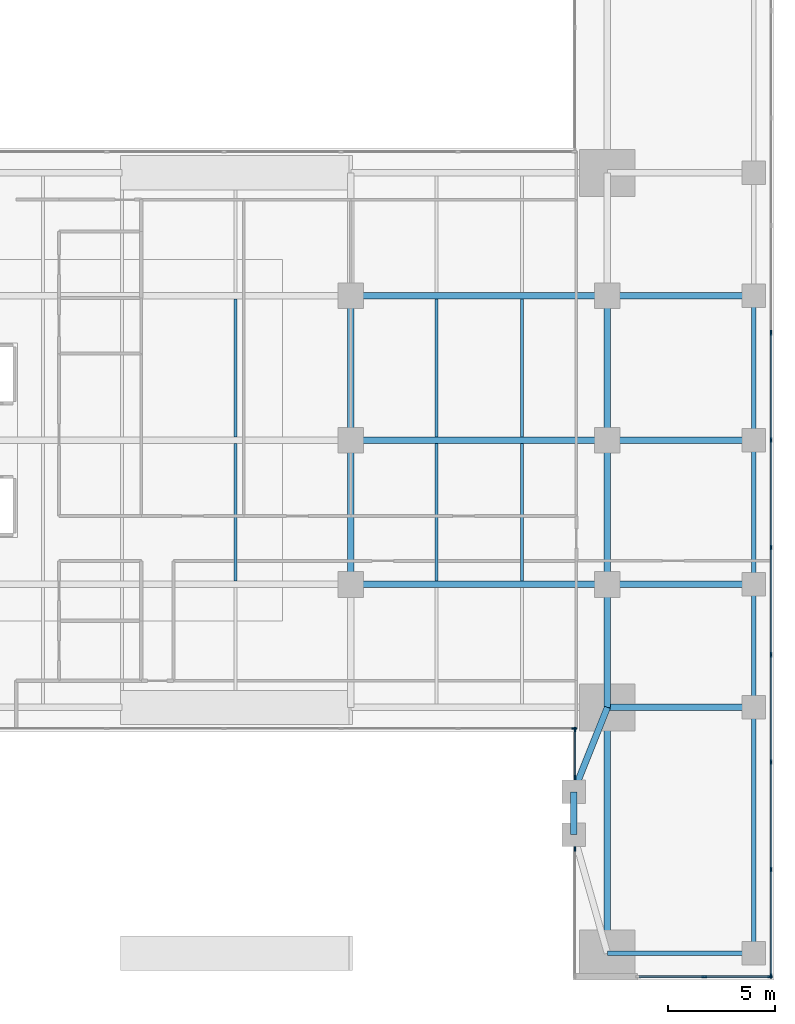
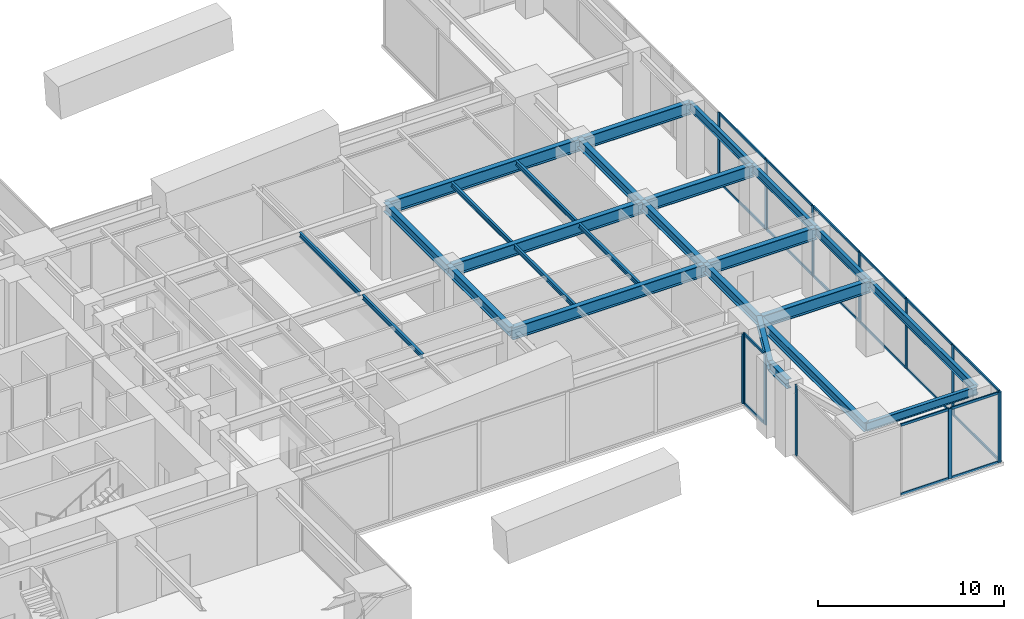
# One storey, part 4 of 13: 31 members, 26 beams, 5 elements without a shape of their own.
"""IFC4 building model written with IfcOpenShell, lengths in metres."""

import ifcopenshell
import ifcopenshell.guid

model = None  # the IFC model being written
_history = None  # IfcOwnerHistory: only IFC2X3 demands one
_inside = {}  # id of a spatial element -> (the spatial element, [elements in it])
_under = {}  # id of a project, library or spatial element -> (it, [spatial elements below it])
_declared = {}  # id of a project -> (the project, [libraries it declares])
_typed = {}  # id of a type object -> (the type object, [elements of that type])
_made_of = {}  # id of a material, layer set ... -> (it, [elements and type objects made of it])


def new_model(schema):
    """Start an empty IFC model of exactly this schema.

    Asked for "IFC4X3", IfcOpenShell would pick the latest addendum, in which some entities
    have other attributes; the version numbers below select the first issue.
    IFC2X3 requires an IfcOwnerHistory on every rooted entity: one is made here for all.
    """
    global model, _history
    if schema == "IFC4X3":
        model = ifcopenshell.file(schema_version=(4, 3, 0, 0))
    else:
        model = ifcopenshell.file(schema=schema)
    _inside.clear()
    _under.clear()
    _declared.clear()
    _typed.clear()
    _made_of.clear()
    _history = None
    if model.schema == "IFC2X3":
        org = make("IfcOrganization", Name="unknown")
        user = make(
            "IfcPersonAndOrganization",
            ThePerson=make("IfcPerson", FamilyName="unknown"),
            TheOrganization=org,
        )
        app = make(
            "IfcApplication",
            ApplicationDeveloper=org,
            Version="unknown",
            ApplicationFullName="unknown",
            ApplicationIdentifier="unknown",
        )
        _history = make(
            "IfcOwnerHistory",
            OwningUser=user,
            OwningApplication=app,
            ChangeAction="ADDED",
            CreationDate=0,
        )
    return model


def make(cls, **values):
    """One entity of the class cls with the attributes given. An attribute that is None is left unset."""
    return model.create_entity(
        cls, **{name: value for name, value in values.items() if value is not None}
    )


def rooted(cls, **values):
    """An entity with a GlobalId (a new one), such as an element, a storey or a relation."""
    return make(cls, GlobalId=ifcopenshell.guid.new(), OwnerHistory=_history, **values)


def si_unit(unit_type, name, prefix=None):
    """IfcSIUnit, for example si_unit("LENGTHUNIT", "METRE", prefix="MILLI")."""
    return make("IfcSIUnit", UnitType=unit_type, Prefix=prefix, Name=name)


def assignment(units):
    """IfcUnitAssignment: the units of a project."""
    return None if units is None else make("IfcUnitAssignment", Units=units)


def point(xyz):
    """IfcCartesianPoint."""
    return None if xyz is None else make("IfcCartesianPoint", Coordinates=xyz)


def direction(xyz):
    """IfcDirection."""
    return None if xyz is None else make("IfcDirection", DirectionRatios=xyz)


def frame(location, z_axis=None, x_axis=None):
    """IfcAxis2Placement3D, a coordinate frame: its origin and axes. An axis left out is left unset."""
    return make(
        "IfcAxis2Placement3D",
        Location=point(location),
        Axis=direction(z_axis),
        RefDirection=direction(x_axis),
    )


def frame_2d(location, x_axis=None):
    """IfcAxis2Placement2D, a coordinate frame in the plane: its origin and x axis."""
    return make(
        "IfcAxis2Placement2D", Location=point(location), RefDirection=direction(x_axis)
    )


def origin():
    """The frame at (0, 0, 0) with its axes left unset."""
    return frame((0.0, 0.0, 0.0))


def origin_2d():
    """The frame at (0, 0) in the plane with its x axis left unset."""
    return frame_2d((0.0, 0.0))


def place(relative_to, where):
    """IfcLocalPlacement: puts the frame where relative to a parent placement (None: the world)."""
    return make(
        "IfcLocalPlacement", PlacementRelTo=relative_to, RelativePlacement=where
    )


def context(
    kind, dimensions, precision=None, world=None, true_north=None, identifier=None
):
    """IfcGeometricRepresentationContext, for example the 3D "Model" context."""
    return make(
        "IfcGeometricRepresentationContext",
        ContextIdentifier=identifier,
        ContextType=kind,
        CoordinateSpaceDimension=dimensions,
        Precision=precision,
        WorldCoordinateSystem=world,
        TrueNorth=true_north,
    )


def subcontext(parent, identifier, kind, view, scale=None):
    """IfcGeometricRepresentationSubContext, for example "Body" below "Model"."""
    return make(
        "IfcGeometricRepresentationSubContext",
        ContextIdentifier=identifier,
        ContextType=kind,
        ParentContext=parent,
        TargetScale=scale,
        TargetView=view,
    )


def project(units=None, contexts=None):
    """IfcProject with its units and contexts."""
    return rooted(
        "IfcProject",
        Name="project",
        RepresentationContexts=contexts,
        UnitsInContext=assignment(units),
    )


def spatial(cls, under=None, at=None, **own):
    """A site, building, storey or space (cls), placed at a placement, below another one or the project."""
    s = rooted(cls, ObjectPlacement=at, **own)
    if under is not None:
        _under.setdefault(under.id(), (under, []))[1].append(s)
    return s


def profile(cls, at=None, kind="AREA", **sizes):
    """A parametric profile (cls). Its sizes go by their IFC names, for example OverallWidth=200.0."""
    return make(cls, ProfileType=kind, Position=at, **sizes)


def rectangle(**sizes):
    """IfcRectangleProfileDef."""
    return profile("IfcRectangleProfileDef", **sizes)


def i_section(**sizes):
    """IfcIShapeProfileDef."""
    return profile("IfcIShapeProfileDef", **sizes)


def extrude(swept, where, along, depth):
    """IfcExtrudedAreaSolid: the profile swept, set in the frame where, extruded along a direction by depth."""
    return make(
        "IfcExtrudedAreaSolid",
        SweptArea=swept,
        Position=where,
        ExtrudedDirection=direction(along),
        Depth=depth,
    )


def shape(context_of_items, identifier, shape_type, items):
    """IfcShapeRepresentation: the items that make up one representation, for example the "Body"."""
    return make(
        "IfcShapeRepresentation",
        ContextOfItems=context_of_items,
        RepresentationIdentifier=identifier,
        RepresentationType=shape_type,
        Items=items,
    )


def material(Name=None, Category=None):
    """IfcMaterial."""
    return make("IfcMaterial", Name=Name, Category=Category)


def layer(
    of_material, thickness, ventilated=None, Name=None, Category=None, Priority=None
):
    """IfcMaterialLayer: one layer of a wall or slab, of a material (None: an air gap)."""
    return make(
        "IfcMaterialLayer",
        Material=of_material,
        LayerThickness=thickness,
        IsVentilated=ventilated,
        Name=Name,
        Category=Category,
        Priority=Priority,
    )


def layer_set(layers, Name=None):
    """IfcMaterialLayerSet."""
    return make("IfcMaterialLayerSet", MaterialLayers=layers, LayerSetName=Name)


def material_profile(
    of_material, cross_section, Name=None, Category=None, Priority=None
):
    """IfcMaterialProfile: a cross section and its material."""
    return make(
        "IfcMaterialProfile",
        Name=Name,
        Material=of_material,
        Profile=cross_section,
        Priority=Priority,
        Category=Category,
    )


def profile_set(profiles, Name=None, composite=None):
    """IfcMaterialProfileSet."""
    return make(
        "IfcMaterialProfileSet",
        Name=Name,
        MaterialProfiles=profiles,
        CompositeProfile=composite,
    )


def made_of(thing, what):
    """Note that an element or type object is made of a material, layer set ...; save() writes the relation."""
    if what is not None:
        _made_of.setdefault(what.id(), (what, []))[1].append(thing)
    return thing


def type_object(cls, material=None, **own):
    """A type object (cls), such as IfcWallType, which elements share."""
    return made_of(rooted(cls, **own), material)


def element(
    cls,
    number,
    at=None,
    inside=None,
    cuts=None,
    type_object=None,
    material=None,
    context=None,
    identifier="Body",
    shape_type=None,
    held_by="IfcProductDefinitionShape",
    body=None,
    shapes=None,
    **own,
):
    """One element of the class cls, such as IfcWall. Its Tag is "e" and its number.

    at: its placement. inside: the storey or other place that contains it. cuts: it is an
    opening in that element (IfcRelVoidsElement). A single representation is given by context,
    identifier, shape_type and body (its items); several are given by shapes. held_by: the class
    of the entity that holds the representations. save() writes the other relations.
    """
    e = rooted(cls, Tag="e%d" % number, ObjectPlacement=at, **own)
    if body is not None:
        shapes = [shape(context, identifier, shape_type, body)]
    if shapes is not None:
        e.Representation = make(held_by, Representations=shapes)
    if inside is not None:
        _inside.setdefault(inside.id(), (inside, []))[1].append(e)
    if cuts is not None:
        rooted(
            "IfcRelVoidsElement", RelatingBuildingElement=cuts, RelatedOpeningElement=e
        )
    if type_object is not None:
        _typed.setdefault(type_object.id(), (type_object, []))[1].append(e)
    return made_of(e, material)


def aggregate(whole, parts):
    """IfcRelAggregates: a whole, such as a stair, and the parts it consists of."""
    return rooted("IfcRelAggregates", RelatingObject=whole, RelatedObjects=parts)


def save(model, path):
    """Write the relations noted so far, then the file.

    IfcRelAggregates (storeys below a building ...), IfcRelContainedInSpatialStructure (elements
    in a storey), IfcRelDefinesByType, IfcRelAssociatesMaterial and IfcRelDeclares: one each for
    every whole, place, type object, material and project.
    """
    for whole, parts in _under.values():
        aggregate(whole, parts)
    for where, things in _inside.values():
        rooted(
            "IfcRelContainedInSpatialStructure",
            RelatedElements=things,
            RelatingStructure=where,
        )
    for kind, things in _typed.values():
        rooted("IfcRelDefinesByType", RelatedObjects=things, RelatingType=kind)
    for what, things in _made_of.values():
        rooted("IfcRelAssociatesMaterial", RelatedObjects=things, RelatingMaterial=what)
    for by, libraries in _declared.values():
        rooted("IfcRelDeclares", RelatingContext=by, RelatedDefinitions=libraries)
    model.write(path)


model = new_model("IFC4")

# Units and contexts
model_context = context("Model", 3, precision=1e-05, world=origin(), true_north=direction((0.0, 1.0)))
body_context = subcontext(model_context, "Body", "Model", "MODEL_VIEW")
ifc_project = project(units=[si_unit("LENGTHUNIT", "METRE"), si_unit("AREAUNIT", "SQUARE_METRE"), si_unit("VOLUMEUNIT", "CUBIC_METRE"), si_unit("PLANEANGLEUNIT", "RADIAN"), si_unit("MASSUNIT", "GRAM", prefix="KILO")], contexts=[model_context])

# Site, building, storey
site_placement = place(None, origin())
site = spatial("IfcSite", under=ifc_project, at=site_placement, CompositionType="ELEMENT")
building_placement = place(site_placement, origin())
building = spatial("IfcBuilding", under=site, at=building_placement, Name="Kinhvarn Gate Tower", CompositionType="ELEMENT")
storey_placement = place(building_placement, frame((0.0, 0.0, 10.800048828125)))
storey = spatial("IfcBuildingStorey", under=building, at=storey_placement, Name="L02", CompositionType="ELEMENT", Elevation=10.800048828125)

# Curtain wall, members
ifc_material_1 = material(Name="Anodised aluminium AW-6063", Category="aluminium")
ifc_layer = layer(ifc_material_1, 0.219970703125)
ifc_layer_set = layer_set([ifc_layer], Name="Anodised aluminium AW-6063")
curtain_wall_type = type_object("IfcCurtainWallType", Name="CW-SYS-1", PredefinedType="NOTDEFINED", material=ifc_layer_set)
curtain_wall_1_placement = place(storey_placement, origin())
curtain_wall_1 = element("IfcCurtainWall", 1, at=curtain_wall_1_placement, inside=storey, type_object=curtain_wall_type, Name="Curtain Wall CW1 (L02)", PredefinedType="NOTDEFINED")
ifc_material_profile_1 = material_profile(ifc_material_1, rectangle(XDim=0.080078125, YDim=0.219970703125, at=origin_2d()), Name="ALU 80x220")
ifc_profile_set_1 = profile_set([ifc_material_profile_1], Name="Anodised aluminium AW-6063")
member_type_1 = type_object("IfcMemberType", Name="CW-MUL-220", PredefinedType="MULLION", material=ifc_profile_set_1)
member_1_placement = place(storey_placement, frame((54.72509765625, 0.14990234375, 0.0), z_axis=(0.0, 0.0, 1.0), x_axis=(0.0, 1.0, 0.0)))
member_1 = element("IfcMember", 2, at=member_1_placement, type_object=member_type_1, Name="CW1 mullion 2", PredefinedType="MULLION", context=body_context, shape_type="SweptSolid", body=[
    extrude(rectangle(XDim=0.080078125, YDim=0.219970703125, at=origin_2d()), origin(), (0.0, 0.0, 1.0), 4.599853515625),
])
member_2_placement = place(storey_placement, frame((57.81005859375, 0.14990234375, 0.0), z_axis=(0.0, 0.0, 1.0), x_axis=(0.0, 1.0, 0.0)))
member_2 = element("IfcMember", 3, at=member_2_placement, type_object=member_type_1, Name="CW1 mullion 3", PredefinedType="MULLION", context=body_context, shape_type="SweptSolid", body=[
    extrude(rectangle(XDim=0.080078125, YDim=0.219970703125, at=origin_2d()), origin(), (0.0, 0.0, 1.0), 4.599853515625),
])

curtain_wall_2_placement = place(storey_placement, origin())
curtain_wall_2 = element("IfcCurtainWall", 4, at=curtain_wall_2_placement, inside=storey, type_object=curtain_wall_type, Name="Curtain Wall CW1 (L02)", PredefinedType="NOTDEFINED")
member_3_placement = place(storey_placement, frame((57.85009765625, 0.18994140625, 0.0), z_axis=(0.0, 0.0, 1.0), x_axis=(-1.0, 0.0, 0.0)))
member_3 = element("IfcMember", 5, at=member_3_placement, type_object=member_type_1, Name="CW1 mullion 1", PredefinedType="MULLION", context=body_context, shape_type="SweptSolid", body=[
    extrude(rectangle(XDim=0.080078125, YDim=0.219970703125, at=origin_2d()), origin(), (0.0, 0.0, 1.0), 4.599853515625),
])
member_4_placement = place(storey_placement, frame((57.85009765625, 5.169921875, 0.0), z_axis=(0.0, 0.0, 1.0), x_axis=(-1.0, 0.0, 0.0)))
member_4 = element("IfcMember", 6, at=member_4_placement, type_object=member_type_1, Name="CW1 mullion 2", PredefinedType="MULLION", context=body_context, shape_type="SweptSolid", body=[
    extrude(rectangle(XDim=0.080078125, YDim=0.219970703125, at=origin_2d()), origin(), (0.0, 0.0, 1.0), 4.599853515625),
])
member_5_placement = place(storey_placement, frame((57.85009765625, 10.18994140625, 0.0), z_axis=(0.0, 0.0, 1.0), x_axis=(-1.0, 0.0, 0.0)))
member_5 = element("IfcMember", 7, at=member_5_placement, type_object=member_type_1, Name="CW1 mullion 3", PredefinedType="MULLION", context=body_context, shape_type="SweptSolid", body=[
    extrude(rectangle(XDim=0.080078125, YDim=0.219970703125, at=origin_2d()), origin(), (0.0, 0.0, 1.0), 4.599853515625),
])
member_6_placement = place(storey_placement, frame((57.85009765625, 15.2099609375, 0.0), z_axis=(0.0, 0.0, 1.0), x_axis=(-1.0, 0.0, 0.0)))
member_6 = element("IfcMember", 8, at=member_6_placement, type_object=member_type_1, Name="CW1 mullion 4", PredefinedType="MULLION", context=body_context, shape_type="SweptSolid", body=[
    extrude(rectangle(XDim=0.080078125, YDim=0.219970703125, at=origin_2d()), origin(), (0.0, 0.0, 1.0), 4.599853515625),
])
member_7_placement = place(storey_placement, frame((57.85009765625, 20.22998046875, 0.0), z_axis=(0.0, 0.0, 1.0), x_axis=(-1.0, 0.0, 0.0)))
member_7 = element("IfcMember", 9, at=member_7_placement, type_object=member_type_1, Name="CW1 mullion 5", PredefinedType="MULLION", context=body_context, shape_type="SweptSolid", body=[
    extrude(rectangle(XDim=0.080078125, YDim=0.219970703125, at=origin_2d()), origin(), (0.0, 0.0, 1.0), 4.599853515625),
])
member_8_placement = place(storey_placement, frame((57.85009765625, 25.25, 0.0), z_axis=(0.0, 0.0, 1.0), x_axis=(-1.0, 0.0, 0.0)))
member_8 = element("IfcMember", 10, at=member_8_placement, type_object=member_type_1, Name="CW1 mullion 6", PredefinedType="MULLION", context=body_context, shape_type="SweptSolid", body=[
    extrude(rectangle(XDim=0.080078125, YDim=0.219970703125, at=origin_2d()), origin(), (0.0, 0.0, 1.0), 4.599853515625),
])
member_9_placement = place(storey_placement, frame((57.85009765625, 30.27001953125, 0.0), z_axis=(0.0, 0.0, 1.0), x_axis=(-1.0, 0.0, 0.0)))
member_9 = element("IfcMember", 11, at=member_9_placement, type_object=member_type_1, Name="CW1 mullion 7", PredefinedType="MULLION", context=body_context, shape_type="SweptSolid", body=[
    extrude(rectangle(XDim=0.080078125, YDim=0.219970703125, at=origin_2d()), origin(), (0.0, 0.0, 1.0), 4.599853515625),
])

# Curtain wall, member
curtain_wall_3_placement = place(storey_placement, origin())
curtain_wall_3 = element("IfcCurtainWall", 12, at=curtain_wall_3_placement, inside=storey, type_object=curtain_wall_type, Name="Curtain Wall CW1 (L02)", PredefinedType="NOTDEFINED")
member_10_placement = place(storey_placement, frame((48.64990234375, 11.760009765625, 0.0), z_axis=(0.0, 0.0, 1.0), x_axis=(0.0, 1.0, 0.0)))
member_10 = element("IfcMember", 13, at=member_10_placement, type_object=member_type_1, Name="CW1 mullion 6", PredefinedType="MULLION", context=body_context, shape_type="SweptSolid", body=[
    extrude(rectangle(XDim=0.080078125, YDim=0.219970703125, at=origin_2d()), origin(), (0.0, 0.0, 1.0), 4.599853515625),
])
aggregate(curtain_wall_3, [member_10])

# Curtain wall, members
curtain_wall_4_placement = place(storey_placement, origin())
curtain_wall_4 = element("IfcCurtainWall", 14, at=curtain_wall_4_placement, inside=storey, type_object=curtain_wall_type, Name="Curtain Wall CW1 (L02)", PredefinedType="NOTDEFINED")
member_11_placement = place(storey_placement, frame((48.68994140625, 11.719970703125, 0.0), z_axis=(0.0, 0.0, 1.0), x_axis=(1.0, 0.0, 0.0)))
member_11 = element("IfcMember", 15, at=member_11_placement, type_object=member_type_1, Name="CW1 mullion 1", PredefinedType="MULLION", context=body_context, shape_type="SweptSolid", body=[
    extrude(rectangle(XDim=0.080078125, YDim=0.219970703125, at=origin_2d()), origin(), (0.0, 0.0, 1.0), 4.599853515625),
])
member_12_placement = place(storey_placement, frame((48.68994140625, 9.469970703125, 0.0), z_axis=(0.0, 0.0, 1.0), x_axis=(1.0, 0.0, 0.0)))
member_12 = element("IfcMember", 16, at=member_12_placement, type_object=member_type_1, Name="CW1 mullion 2", PredefinedType="MULLION", context=body_context, shape_type="SweptSolid", body=[
    extrude(rectangle(XDim=0.080078125, YDim=0.219970703125, at=origin_2d()), origin(), (0.0, 0.0, 1.0), 4.599853515625),
])

# Curtain wall, member
curtain_wall_5_placement = place(storey_placement, origin())
curtain_wall_5 = element("IfcCurtainWall", 17, at=curtain_wall_5_placement, inside=storey, type_object=curtain_wall_type, Name="Curtain Wall CW1 (L02)", PredefinedType="NOTDEFINED")
member_13_placement = place(storey_placement, frame((48.68994140625, 6.1298828125, 0.0), z_axis=(0.0, 0.0, 1.0), x_axis=(1.0, 0.0, 0.0)))
member_13 = element("IfcMember", 18, at=member_13_placement, type_object=member_type_1, Name="CW1 mullion 1", PredefinedType="MULLION", context=body_context, shape_type="SweptSolid", body=[
    extrude(rectangle(XDim=0.080078125, YDim=0.219970703125, at=origin_2d()), origin(), (0.0, 0.0, 1.0), 4.599853515625),
])
aggregate(curtain_wall_5, [member_13])

# Member
ifc_material_profile_2 = material_profile(ifc_material_1, rectangle(XDim=0.080078125, YDim=0.159912109375, at=origin_2d()), Name="ALU 80x160")
ifc_profile_set_2 = profile_set([ifc_material_profile_2], Name="Anodised aluminium AW-6063")
member_type_2 = type_object("IfcMemberType", Name="CW-TRN-160", PredefinedType="USERDEFINED", material=ifc_profile_set_2)
member_14_placement = place(storey_placement, frame((51.679931640625, 0.14990234375, 0.0400390625), z_axis=(1.0, 0.0, 0.0), x_axis=(0.0, 1.0, 0.0)))
member_14 = element("IfcMember", 19, at=member_14_placement, type_object=member_type_2, Name="CW1 transom 1.1", ObjectType="TRANSOM", PredefinedType="USERDEFINED", context=body_context, shape_type="SweptSolid", body=[
    extrude(rectangle(XDim=0.080078125, YDim=0.159912109375, at=origin_2d()), origin(), (0.0, 0.0, 1.0), 3.005126953125),
])

member_15_placement = place(storey_placement, frame((51.679931640625, 0.14990234375, 4.56005859375), z_axis=(1.0, 0.0, 0.0), x_axis=(0.0, 1.0, 0.0)))
member_15 = element("IfcMember", 20, at=member_15_placement, type_object=member_type_2, Name="CW1 transom 1.2", ObjectType="TRANSOM", PredefinedType="USERDEFINED", context=body_context, shape_type="SweptSolid", body=[
    extrude(rectangle(XDim=0.080078125, YDim=0.159912109375, at=origin_2d()), origin(), (0.0, 0.0, 1.0), 3.005126953125),
])

member_16_placement = place(storey_placement, frame((54.764892578125, 0.14990234375, 0.0400390625), z_axis=(1.0, 0.0, 0.0), x_axis=(0.0, 1.0, 0.0)))
member_16 = element("IfcMember", 21, at=member_16_placement, type_object=member_type_2, Name="CW1 transom 2.1", ObjectType="TRANSOM", PredefinedType="USERDEFINED", context=body_context, shape_type="SweptSolid", body=[
    extrude(rectangle(XDim=0.080078125, YDim=0.159912109375, at=origin_2d()), origin(), (0.0, 0.0, 1.0), 3.005126953125),
])

member_17_placement = place(storey_placement, frame((54.764892578125, 0.14990234375, 4.56005859375), z_axis=(1.0, 0.0, 0.0), x_axis=(0.0, 1.0, 0.0)))
member_17 = element("IfcMember", 22, at=member_17_placement, type_object=member_type_2, Name="CW1 transom 2.2", ObjectType="TRANSOM", PredefinedType="USERDEFINED", context=body_context, shape_type="SweptSolid", body=[
    extrude(rectangle(XDim=0.080078125, YDim=0.159912109375, at=origin_2d()), origin(), (0.0, 0.0, 1.0), 3.005126953125),
])

aggregate(curtain_wall_1, [member_1, member_2, member_14, member_15, member_16, member_17])

member_18_placement = place(storey_placement, frame((57.85009765625, 0.22998046875, 0.0400390625), z_axis=(0.0, 1.0, 0.0), x_axis=(-1.0, 0.0, 0.0)))
member_18 = element("IfcMember", 23, at=member_18_placement, type_object=member_type_2, Name="CW1 transom 1.1", ObjectType="TRANSOM", PredefinedType="USERDEFINED", context=body_context, shape_type="SweptSolid", body=[
    extrude(rectangle(XDim=0.080078125, YDim=0.159912109375, at=origin_2d()), origin(), (0.0, 0.0, 1.0), 4.89990234375),
])

member_19_placement = place(storey_placement, frame((57.85009765625, 0.22998046875, 4.56005859375), z_axis=(0.0, 1.0, 0.0), x_axis=(-1.0, 0.0, 0.0)))
member_19 = element("IfcMember", 24, at=member_19_placement, type_object=member_type_2, Name="CW1 transom 1.2", ObjectType="TRANSOM", PredefinedType="USERDEFINED", context=body_context, shape_type="SweptSolid", body=[
    extrude(rectangle(XDim=0.080078125, YDim=0.159912109375, at=origin_2d()), origin(), (0.0, 0.0, 1.0), 4.89990234375),
])

member_20_placement = place(storey_placement, frame((57.85009765625, 5.2099609375, 0.0400390625), z_axis=(0.0, 1.0, 0.0), x_axis=(-1.0, 0.0, 0.0)))
member_20 = element("IfcMember", 25, at=member_20_placement, type_object=member_type_2, Name="CW1 transom 2.1", ObjectType="TRANSOM", PredefinedType="USERDEFINED", context=body_context, shape_type="SweptSolid", body=[
    extrude(rectangle(XDim=0.080078125, YDim=0.159912109375, at=origin_2d()), origin(), (0.0, 0.0, 1.0), 4.93994140625),
])

member_21_placement = place(storey_placement, frame((57.85009765625, 5.2099609375, 4.56005859375), z_axis=(0.0, 1.0, 0.0), x_axis=(-1.0, 0.0, 0.0)))
member_21 = element("IfcMember", 26, at=member_21_placement, type_object=member_type_2, Name="CW1 transom 2.2", ObjectType="TRANSOM", PredefinedType="USERDEFINED", context=body_context, shape_type="SweptSolid", body=[
    extrude(rectangle(XDim=0.080078125, YDim=0.159912109375, at=origin_2d()), origin(), (0.0, 0.0, 1.0), 4.93994140625),
])

member_22_placement = place(storey_placement, frame((57.85009765625, 10.22998046875, 0.0400390625), z_axis=(0.0, 1.0, 0.0), x_axis=(-1.0, 0.0, 0.0)))
member_22 = element("IfcMember", 27, at=member_22_placement, type_object=member_type_2, Name="CW1 transom 3.1", ObjectType="TRANSOM", PredefinedType="USERDEFINED", context=body_context, shape_type="SweptSolid", body=[
    extrude(rectangle(XDim=0.080078125, YDim=0.159912109375, at=origin_2d()), origin(), (0.0, 0.0, 1.0), 4.93994140625),
])

member_23_placement = place(storey_placement, frame((57.85009765625, 10.22998046875, 4.56005859375), z_axis=(0.0, 1.0, 0.0), x_axis=(-1.0, 0.0, 0.0)))
member_23 = element("IfcMember", 28, at=member_23_placement, type_object=member_type_2, Name="CW1 transom 3.2", ObjectType="TRANSOM", PredefinedType="USERDEFINED", context=body_context, shape_type="SweptSolid", body=[
    extrude(rectangle(XDim=0.080078125, YDim=0.159912109375, at=origin_2d()), origin(), (0.0, 0.0, 1.0), 4.93994140625),
])

member_24_placement = place(storey_placement, frame((57.85009765625, 15.25, 0.0400390625), z_axis=(0.0, 1.0, 0.0), x_axis=(-1.0, 0.0, 0.0)))
member_24 = element("IfcMember", 29, at=member_24_placement, type_object=member_type_2, Name="CW1 transom 4.1", ObjectType="TRANSOM", PredefinedType="USERDEFINED", context=body_context, shape_type="SweptSolid", body=[
    extrude(rectangle(XDim=0.080078125, YDim=0.159912109375, at=origin_2d()), origin(), (0.0, 0.0, 1.0), 4.93994140625),
])

member_25_placement = place(storey_placement, frame((57.85009765625, 15.25, 4.56005859375), z_axis=(0.0, 1.0, 0.0), x_axis=(-1.0, 0.0, 0.0)))
member_25 = element("IfcMember", 30, at=member_25_placement, type_object=member_type_2, Name="CW1 transom 4.2", ObjectType="TRANSOM", PredefinedType="USERDEFINED", context=body_context, shape_type="SweptSolid", body=[
    extrude(rectangle(XDim=0.080078125, YDim=0.159912109375, at=origin_2d()), origin(), (0.0, 0.0, 1.0), 4.93994140625),
])

member_26_placement = place(storey_placement, frame((57.85009765625, 20.27001953125, 0.0400390625), z_axis=(0.0, 1.0, 0.0), x_axis=(-1.0, 0.0, 0.0)))
member_26 = element("IfcMember", 31, at=member_26_placement, type_object=member_type_2, Name="CW1 transom 5.1", ObjectType="TRANSOM", PredefinedType="USERDEFINED", context=body_context, shape_type="SweptSolid", body=[
    extrude(rectangle(XDim=0.080078125, YDim=0.159912109375, at=origin_2d()), origin(), (0.0, 0.0, 1.0), 4.93994140625),
])

member_27_placement = place(storey_placement, frame((57.85009765625, 20.27001953125, 4.56005859375), z_axis=(0.0, 1.0, 0.0), x_axis=(-1.0, 0.0, 0.0)))
member_27 = element("IfcMember", 32, at=member_27_placement, type_object=member_type_2, Name="CW1 transom 5.2", ObjectType="TRANSOM", PredefinedType="USERDEFINED", context=body_context, shape_type="SweptSolid", body=[
    extrude(rectangle(XDim=0.080078125, YDim=0.159912109375, at=origin_2d()), origin(), (0.0, 0.0, 1.0), 4.93994140625),
])

member_28_placement = place(storey_placement, frame((57.85009765625, 25.2900390625, 0.0400390625), z_axis=(0.0, 1.0, 0.0), x_axis=(-1.0, 0.0, 0.0)))
member_28 = element("IfcMember", 33, at=member_28_placement, type_object=member_type_2, Name="CW1 transom 6.1", ObjectType="TRANSOM", PredefinedType="USERDEFINED", context=body_context, shape_type="SweptSolid", body=[
    extrude(rectangle(XDim=0.080078125, YDim=0.159912109375, at=origin_2d()), origin(), (0.0, 0.0, 1.0), 4.93994140625),
])

member_29_placement = place(storey_placement, frame((57.85009765625, 25.2900390625, 4.56005859375), z_axis=(0.0, 1.0, 0.0), x_axis=(-1.0, 0.0, 0.0)))
member_29 = element("IfcMember", 34, at=member_29_placement, type_object=member_type_2, Name="CW1 transom 6.2", ObjectType="TRANSOM", PredefinedType="USERDEFINED", context=body_context, shape_type="SweptSolid", body=[
    extrude(rectangle(XDim=0.080078125, YDim=0.159912109375, at=origin_2d()), origin(), (0.0, 0.0, 1.0), 4.93994140625),
])

aggregate(curtain_wall_2, [member_3, member_4, member_5, member_6, member_7, member_8, member_9, member_18, member_19, member_20, member_21, member_22, member_23, member_24, member_25, member_26, member_27, member_28, member_29])

member_30_placement = place(storey_placement, frame((48.68994140625, 11.679931640625, 0.0400390625), z_axis=(0.0, -1.0, 0.0), x_axis=(1.0, 0.0, 0.0)))
member_30 = element("IfcMember", 35, at=member_30_placement, type_object=member_type_2, Name="CW1 transom 1.1", ObjectType="TRANSOM", PredefinedType="USERDEFINED", context=body_context, shape_type="SweptSolid", body=[
    extrude(rectangle(XDim=0.080078125, YDim=0.159912109375, at=origin_2d()), origin(), (0.0, 0.0, 1.0), 2.169921875),
])

member_31_placement = place(storey_placement, frame((48.68994140625, 11.679931640625, 4.56005859375), z_axis=(0.0, -1.0, 0.0), x_axis=(1.0, 0.0, 0.0)))
member_31 = element("IfcMember", 36, at=member_31_placement, type_object=member_type_2, Name="CW1 transom 1.2", ObjectType="TRANSOM", PredefinedType="USERDEFINED", context=body_context, shape_type="SweptSolid", body=[
    extrude(rectangle(XDim=0.080078125, YDim=0.159912109375, at=origin_2d()), origin(), (0.0, 0.0, 1.0), 2.169921875),
])

aggregate(curtain_wall_4, [member_11, member_12, member_30, member_31])

# Beams
ifc_material_2 = material(Name="Steel S355", Category="steel")
ifc_material_profile_3 = material_profile(ifc_material_2, i_section(OverallWidth=0.300048828125, OverallDepth=0.60009765625, WebThickness=0.015380859375, FlangeThickness=0.030029296875, at=origin_2d()), Name="HEB 600")
ifc_profile_set_3 = profile_set([ifc_material_profile_3], Name="Steel S355")
beam_type_1 = type_object("IfcBeamType", Name="STL-HEB600", PredefinedType="BEAM", material=ifc_profile_set_3)
beam_1_placement = place(storey_placement, frame((48.6201171875, 6.800048828125, 4.300048828125), z_axis=(0.0, 1.0, 0.0), x_axis=(-1.0, 0.0, 0.0)))
element("IfcBeam", 37, at=beam_1_placement, inside=storey, type_object=beam_type_1, Name="Floor Beam PG-16 (L02 TIE-SE1-M)", PredefinedType="BEAM", context=body_context, shape_type="SweptSolid", body=[
    extrude(i_section(OverallWidth=0.300048828125, OverallDepth=0.60009765625, WebThickness=0.015380859375, FlangeThickness=0.030029296875, at=origin_2d()), origin(), (0.0, 0.0, 1.0), 2.0),
])
beam_2_placement = place(storey_placement, frame((48.6201171875, 8.800048828125, 4.300048828125), z_axis=(0.371360992457, 0.928488563894, 0.0), x_axis=(-0.928488563894, 0.371360992457, 0.0)))
element("IfcBeam", 38, at=beam_2_placement, inside=storey, type_object=beam_type_1, Name="Floor Beam PG-16 (L02 TIE-SE1-N)", PredefinedType="BEAM", context=body_context, shape_type="SweptSolid", body=[
    extrude(i_section(OverallWidth=0.300048828125, OverallDepth=0.60009765625, WebThickness=0.015380859375, FlangeThickness=0.030029296875, at=origin_2d()), origin(), (0.0, 0.0, 1.0), 4.254150390625),
])
beam_3_placement = place(storey_placement, frame((50.199951171875, 1.25, 4.300048828125), z_axis=(0.0, 1.0, 0.0), x_axis=(-1.0, 0.0, 0.0)))
element("IfcBeam", 39, at=beam_3_placement, inside=storey, type_object=beam_type_1, Name="Floor Beam PG-16 (L02 APE-1)", PredefinedType="BEAM", context=body_context, shape_type="SweptSolid", body=[
    extrude(i_section(OverallWidth=0.300048828125, OverallDepth=0.60009765625, WebThickness=0.015380859375, FlangeThickness=0.030029296875, at=origin_2d()), origin(), (0.0, 0.0, 1.0), 11.5),
])
beam_4_placement = place(storey_placement, frame((50.199951171875, 12.75, 4.300048828125), z_axis=(0.0, 1.0, 0.0), x_axis=(-1.0, 0.0, 0.0)))
element("IfcBeam", 40, at=beam_4_placement, inside=storey, type_object=beam_type_1, Name="Floor Beam PG-16 (L02 APE-2)", PredefinedType="BEAM", context=body_context, shape_type="SweptSolid", body=[
    extrude(i_section(OverallWidth=0.300048828125, OverallDepth=0.60009765625, WebThickness=0.015380859375, FlangeThickness=0.030029296875, at=origin_2d()), origin(), (0.0, 0.0, 1.0), 5.75),
])
for number, where, z_axis, x_axis, name in (
    (41, (50.199951171875, 18.5, 4.300048828125), (0.0, 1.0, 0.0), (-1.0, 0.0, 0.0), "Floor Beam PG-16 (L02 APE-3)"),
    (42, (50.199951171875, 25.25, 4.300048828125), (0.0, 1.0, 0.0), (-1.0, 0.0, 0.0), "Floor Beam PG-16 (L02 APE-4)"),
    (43, (38.199951171875, 18.5, 4.300048828125), (0.0, 1.0, 0.0), (-1.0, 0.0, 0.0), "Floor Beam PG-16 (L02 POD-NS38-18)"),
    (44, (38.199951171875, 25.25, 4.300048828125), (0.0, 1.0, 0.0), (-1.0, 0.0, 0.0), "Floor Beam PG-16 (L02 POD-NS38-25)"),
):
    element("IfcBeam", number, at=place(storey_placement, frame(where, z_axis=z_axis, x_axis=x_axis)), inside=storey, type_object=beam_type_1, Name=name, PredefinedType="BEAM", context=body_context, shape_type="SweptSolid", body=[
        extrude(i_section(OverallWidth=0.300048828125, OverallDepth=0.60009765625, WebThickness=0.015380859375, FlangeThickness=0.030029296875, at=origin_2d()), origin(), (0.0, 0.0, 1.0), 6.75),
    ])
ifc_material_profile_4 = material_profile(ifc_material_2, i_section(OverallWidth=0.300048828125, OverallDepth=0.800048828125, WebThickness=0.017578125, FlangeThickness=0.032958984375, at=origin_2d()), Name="HEB 800")
ifc_profile_set_4 = profile_set([ifc_material_profile_4], Name="Steel S355")
beam_type_2 = type_object("IfcBeamType", Name="STL-HEB800", PredefinedType="BEAM", material=ifc_profile_set_4)
for number, where, z_axis, x_axis, name in (
    (45, (50.199951171875, 12.75, 4.199951171875), (1.0, 0.0, 0.0), (0.0, 1.0, 0.0), "Floor Beam PG-19 (L02 SPS-E)"),
    (46, (50.199951171875, 18.5, 4.199951171875), (1.0, 0.0, 0.0), (0.0, 1.0, 0.0), "Floor Beam PG-19 (L02 E-MID-18)"),
    (47, (50.199951171875, 25.25, 4.199951171875), (1.0, 0.0, 0.0), (0.0, 1.0, 0.0), "Floor Beam PG-19 (L02 E-MID-25)"),
    (48, (50.199951171875, 32.0, 4.199951171875), (1.0, 0.0, 0.0), (0.0, 1.0, 0.0), "Floor Beam PG-19 (L02 E-MID-32)"),
):
    element("IfcBeam", number, at=place(storey_placement, frame(where, z_axis=z_axis, x_axis=x_axis)), inside=storey, type_object=beam_type_2, Name=name, PredefinedType="BEAM", context=body_context, shape_type="SweptSolid", body=[
        extrude(i_section(OverallWidth=0.300048828125, OverallDepth=0.800048828125, WebThickness=0.017578125, FlangeThickness=0.032958984375, at=origin_2d()), origin(), (0.0, 0.0, 1.0), 6.85009765625),
    ])
for number, where, z_axis, x_axis, name in (
    (49, (38.199951171875, 18.5, 4.199951171875), (1.0, 0.0, 0.0), (0.0, 1.0, 0.0), "Floor Beam PG-19 (L02 POD-EW2-18)"),
    (50, (38.199951171875, 25.25, 4.199951171875), (1.0, 0.0, 0.0), (0.0, 1.0, 0.0), "Floor Beam PG-19 (L02 POD-EW2-25)"),
    (51, (38.199951171875, 32.0, 4.199951171875), (1.0, 0.0, 0.0), (0.0, 1.0, 0.0), "Floor Beam PG-19 (L02 POD-EW2-32)"),
):
    element("IfcBeam", number, at=place(storey_placement, frame(where, z_axis=z_axis, x_axis=x_axis)), inside=storey, type_object=beam_type_2, Name=name, PredefinedType="BEAM", context=body_context, shape_type="SweptSolid", body=[
        extrude(i_section(OverallWidth=0.300048828125, OverallDepth=0.800048828125, WebThickness=0.017578125, FlangeThickness=0.032958984375, at=origin_2d()), origin(), (0.0, 0.0, 1.0), 12.0),
    ])
ifc_material_profile_5 = material_profile(ifc_material_2, i_section(OverallWidth=0.14990234375, OverallDepth=0.300048828125, WebThickness=0.007080078125, FlangeThickness=0.0107421875, at=origin_2d()), Name="IPE 300")
ifc_profile_set_5 = profile_set([ifc_material_profile_5], Name="Steel S355")
beam_type_3 = type_object("IfcBeamType", Name="STL-IPE300", PredefinedType="JOIST", material=ifc_profile_set_5)
for number, where, z_axis, x_axis, name in (
    (52, (32.800048828125, 18.64990234375, 4.449951171875), (0.0, 1.0, 0.0), (-1.0, 0.0, 0.0), "Floor Joist SB-02 (L02 POD-J328-18)"),
    (53, (42.199951171875, 18.64990234375, 4.449951171875), (0.0, 1.0, 0.0), (-1.0, 0.0, 0.0), "Floor Joist SB-02 (L02 POD-J422-18)"),
    (54, (46.199951171875, 18.64990234375, 4.449951171875), (0.0, 1.0, 0.0), (-1.0, 0.0, 0.0), "Floor Joist SB-02 (L02 POD-J462-18)"),
    (55, (32.800048828125, 25.39990234375, 4.449951171875), (0.0, 1.0, 0.0), (-1.0, 0.0, 0.0), "Floor Joist SB-02 (L02 POD-J328-25)"),
    (56, (42.199951171875, 25.39990234375, 4.449951171875), (0.0, 1.0, 0.0), (-1.0, 0.0, 0.0), "Floor Joist SB-02 (L02 POD-J422-25)"),
    (57, (46.199951171875, 25.39990234375, 4.449951171875), (0.0, 1.0, 0.0), (-1.0, 0.0, 0.0), "Floor Joist SB-02 (L02 POD-J462-25)"),
):
    element("IfcBeam", number, at=place(storey_placement, frame(where, z_axis=z_axis, x_axis=x_axis)), inside=storey, type_object=beam_type_3, Name=name, PredefinedType="JOIST", context=body_context, shape_type="SweptSolid", body=[
        extrude(i_section(OverallWidth=0.14990234375, OverallDepth=0.300048828125, WebThickness=0.007080078125, FlangeThickness=0.0107421875, at=origin_2d()), origin(), (0.0, 0.0, 1.0), 6.4501953125),
    ])
ifc_material_profile_6 = material_profile(ifc_material_2, i_section(OverallWidth=0.2099609375, OverallDepth=0.550048828125, WebThickness=0.010986328125, FlangeThickness=0.01708984375, at=origin_2d()), Name="IPE 550")
ifc_profile_set_6 = profile_set([ifc_material_profile_6], Name="Steel S355")
beam_type_4 = type_object("IfcBeamType", Name="STL-IPE550", PredefinedType="SPANDREL", material=ifc_profile_set_6)
beam_5_placement = place(storey_placement, frame((57.050048828125, 1.25, 4.324951171875), z_axis=(0.0, 1.0, 0.0), x_axis=(-1.0, 0.0, 0.0)))
element("IfcBeam", 58, at=beam_5_placement, inside=storey, type_object=beam_type_4, Name="Floor Spandrel SB-08 (L02 PERE-1)", PredefinedType="SPANDREL", context=body_context, shape_type="SweptSolid", body=[
    extrude(i_section(OverallWidth=0.2099609375, OverallDepth=0.550048828125, WebThickness=0.010986328125, FlangeThickness=0.01708984375, at=origin_2d()), origin(), (0.0, 0.0, 1.0), 11.5),
])
beam_6_placement = place(storey_placement, frame((57.050048828125, 12.75, 4.324951171875), z_axis=(0.0, 1.0, 0.0), x_axis=(-1.0, 0.0, 0.0)))
element("IfcBeam", 59, at=beam_6_placement, inside=storey, type_object=beam_type_4, Name="Floor Spandrel SB-08 (L02 PERE-2)", PredefinedType="SPANDREL", context=body_context, shape_type="SweptSolid", body=[
    extrude(i_section(OverallWidth=0.2099609375, OverallDepth=0.550048828125, WebThickness=0.010986328125, FlangeThickness=0.01708984375, at=origin_2d()), origin(), (0.0, 0.0, 1.0), 5.75),
])
for number, where, z_axis, x_axis, name in (
    (60, (57.050048828125, 18.5, 4.324951171875), (0.0, 1.0, 0.0), (-1.0, 0.0, 0.0), "Floor Spandrel SB-08 (L02 PERE-3)"),
    (61, (57.050048828125, 25.25, 4.324951171875), (0.0, 1.0, 0.0), (-1.0, 0.0, 0.0), "Floor Spandrel SB-08 (L02 PERE-4)"),
):
    element("IfcBeam", number, at=place(storey_placement, frame(where, z_axis=z_axis, x_axis=x_axis)), inside=storey, type_object=beam_type_4, Name=name, PredefinedType="SPANDREL", context=body_context, shape_type="SweptSolid", body=[
        extrude(i_section(OverallWidth=0.2099609375, OverallDepth=0.550048828125, WebThickness=0.010986328125, FlangeThickness=0.01708984375, at=origin_2d()), origin(), (0.0, 0.0, 1.0), 6.75),
    ])
beam_7_placement = place(storey_placement, frame((50.199951171875, 1.25, 4.324951171875), z_axis=(1.0, 0.0, 0.0), x_axis=(0.0, 1.0, 0.0)))
element("IfcBeam", 62, at=beam_7_placement, inside=storey, type_object=beam_type_4, Name="Floor Spandrel SB-08 (L02 SP-POD-SE)", PredefinedType="SPANDREL", context=body_context, shape_type="SweptSolid", body=[
    extrude(i_section(OverallWidth=0.2099609375, OverallDepth=0.550048828125, WebThickness=0.010986328125, FlangeThickness=0.01708984375, at=origin_2d()), origin(), (0.0, 0.0, 1.0), 6.85009765625),
])

save(model, "model.ifc")
